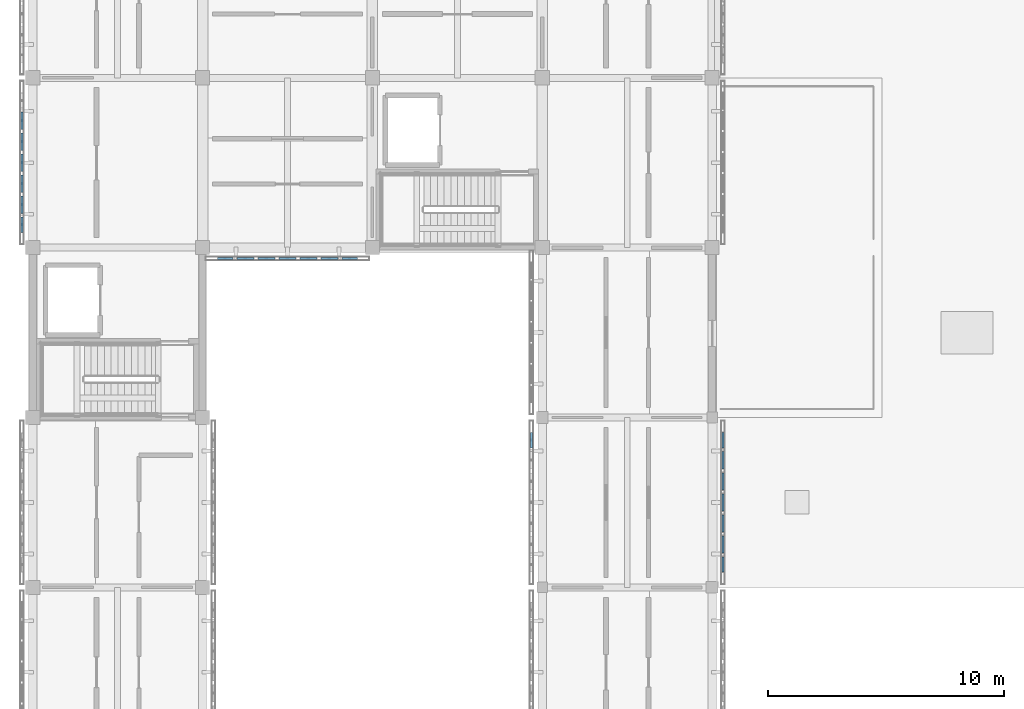
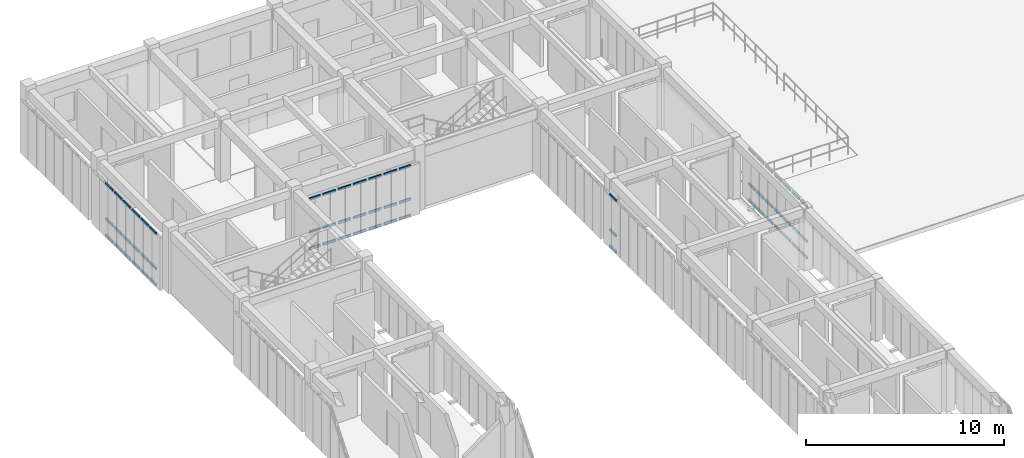
# One storey, part 23 of 67: 63 members, 4 elements without a shape of their own.
"""IFC4 building model written with IfcOpenShell, lengths in metres."""

from ifc_helpers import new_model, si_unit, direction, frame, origin, origin_2d, place, context, subcontext, project, spatial, hollow_rectangle, extrude, material, material_profile, profile_set, type_object, element, aggregate, save


model = new_model("IFC4")

# Units and contexts
model_context = context("Model", 3, precision=1e-05, world=origin(), true_north=direction((0.0, 1.0)))
body_context = subcontext(model_context, "Body", "Model", "MODEL_VIEW")
ifc_project = project(units=[si_unit("LENGTHUNIT", "METRE"), si_unit("AREAUNIT", "SQUARE_METRE"), si_unit("VOLUMEUNIT", "CUBIC_METRE"), si_unit("PLANEANGLEUNIT", "RADIAN"), si_unit("MASSUNIT", "GRAM", prefix="KILO")], contexts=[model_context])

# Site, building, storey
site_placement = place(None, origin())
site = spatial("IfcSite", under=ifc_project, at=site_placement, CompositionType="ELEMENT")
building_placement = place(site_placement, origin())
building = spatial("IfcBuilding", under=site, at=building_placement, Name="Aldebral Square Health Centre", CompositionType="ELEMENT")
storey_placement = place(building_placement, frame((0.0, 0.0, 13.5)))
storey = spatial("IfcBuildingStorey", under=building, at=storey_placement, Name="L03", CompositionType="ELEMENT", Elevation=13.5)

# Curtain wall, members
ifc_material_1 = material(Name="Aluminium and low-E solar glass", Category="aluminium")
curtain_wall_type = type_object("IfcCurtainWallType", Name="CW-FIN-SYS", PredefinedType="USERDEFINED", material=ifc_material_1)
curtain_wall_1_placement = place(storey_placement, origin())
curtain_wall_1 = element("IfcCurtainWall", 1, at=curtain_wall_1_placement, inside=storey, type_object=curtain_wall_type, Name="L03 V4 finned curtain wall L03-V4-00-14-W", ObjectType="SOLAR_CURTAIN_WALL", PredefinedType="USERDEFINED")
ifc_material_2 = material(Name="Anodised aluminium transom", Category="aluminium")
ifc_material_profile = material_profile(ifc_material_2, hollow_rectangle(XDim=0.074951171875, YDim=0.14990234375, WallThickness=0.00390625, at=origin_2d()), Name="CWT 75x150x4")
ifc_profile_set = profile_set([ifc_material_profile], Name="Anodised aluminium transom")
member_type = type_object("IfcMemberType", Name="CWT-STD", PredefinedType="USERDEFINED", material=ifc_profile_set)
member_1_placement = place(storey_placement, frame((-0.4599609375, 106.548583984375, 0.03759765625), z_axis=(0.0, -1.0, 0.0), x_axis=(1.0, 0.0, 0.0)))
member_1 = element("IfcMember", 2, at=member_1_placement, type_object=member_type, Name="CW1 transom 2.1", ObjectType="TRANSOM", PredefinedType="USERDEFINED", context=body_context, shape_type="SweptSolid", body=[
    extrude(hollow_rectangle(XDim=0.074951171875, YDim=0.14990234375, WallThickness=0.00390625, at=origin_2d()), origin(), (0.0, 0.0, 1.0), 0.7314453125),
])
member_2_placement = place(storey_placement, frame((-0.4599609375, 106.548583984375, 1.050048828125), z_axis=(0.0, -1.0, 0.0), x_axis=(1.0, 0.0, 0.0)))
member_2 = element("IfcMember", 3, at=member_2_placement, type_object=member_type, Name="CW1 transom 2.2", ObjectType="TRANSOM", PredefinedType="USERDEFINED", context=body_context, shape_type="SweptSolid", body=[
    extrude(hollow_rectangle(XDim=0.074951171875, YDim=0.14990234375, WallThickness=0.00390625, at=origin_2d()), origin(), (0.0, 0.0, 1.0), 0.7314453125),
])
member_3_placement = place(storey_placement, frame((-0.4599609375, 106.548583984375, 3.202392578125), z_axis=(0.0, -1.0, 0.0), x_axis=(1.0, 0.0, 0.0)))
member_3 = element("IfcMember", 4, at=member_3_placement, type_object=member_type, Name="CW1 transom 2.3", ObjectType="TRANSOM", PredefinedType="USERDEFINED", context=body_context, shape_type="SweptSolid", body=[
    extrude(hollow_rectangle(XDim=0.074951171875, YDim=0.14990234375, WallThickness=0.00390625, at=origin_2d()), origin(), (0.0, 0.0, 1.0), 0.7314453125),
])
member_4_placement = place(storey_placement, frame((-0.4599609375, 105.6572265625, 0.03759765625), z_axis=(0.0, -1.0, 0.0), x_axis=(1.0, 0.0, 0.0)))
member_4 = element("IfcMember", 5, at=member_4_placement, type_object=member_type, Name="CW1 transom 3.1", ObjectType="TRANSOM", PredefinedType="USERDEFINED", context=body_context, shape_type="SweptSolid", body=[
    extrude(hollow_rectangle(XDim=0.074951171875, YDim=0.14990234375, WallThickness=0.00390625, at=origin_2d()), origin(), (0.0, 0.0, 1.0), 0.7314453125),
])
member_5_placement = place(storey_placement, frame((-0.4599609375, 105.6572265625, 1.050048828125), z_axis=(0.0, -1.0, 0.0), x_axis=(1.0, 0.0, 0.0)))
member_5 = element("IfcMember", 6, at=member_5_placement, type_object=member_type, Name="CW1 transom 3.2", ObjectType="TRANSOM", PredefinedType="USERDEFINED", context=body_context, shape_type="SweptSolid", body=[
    extrude(hollow_rectangle(XDim=0.074951171875, YDim=0.14990234375, WallThickness=0.00390625, at=origin_2d()), origin(), (0.0, 0.0, 1.0), 0.7314453125),
])
member_6_placement = place(storey_placement, frame((-0.4599609375, 105.6572265625, 3.202392578125), z_axis=(0.0, -1.0, 0.0), x_axis=(1.0, 0.0, 0.0)))
member_6 = element("IfcMember", 7, at=member_6_placement, type_object=member_type, Name="CW1 transom 3.3", ObjectType="TRANSOM", PredefinedType="USERDEFINED", context=body_context, shape_type="SweptSolid", body=[
    extrude(hollow_rectangle(XDim=0.074951171875, YDim=0.14990234375, WallThickness=0.00390625, at=origin_2d()), origin(), (0.0, 0.0, 1.0), 0.7314453125),
])
member_7_placement = place(storey_placement, frame((-0.4599609375, 104.765625, 0.03759765625), z_axis=(0.0, -1.0, 0.0), x_axis=(1.0, 0.0, 0.0)))
member_7 = element("IfcMember", 8, at=member_7_placement, type_object=member_type, Name="CW1 transom 4.1", ObjectType="TRANSOM", PredefinedType="USERDEFINED", context=body_context, shape_type="SweptSolid", body=[
    extrude(hollow_rectangle(XDim=0.074951171875, YDim=0.14990234375, WallThickness=0.00390625, at=origin_2d()), origin(), (0.0, 0.0, 1.0), 0.7314453125),
])
member_8_placement = place(storey_placement, frame((-0.4599609375, 104.765625, 1.050048828125), z_axis=(0.0, -1.0, 0.0), x_axis=(1.0, 0.0, 0.0)))
member_8 = element("IfcMember", 9, at=member_8_placement, type_object=member_type, Name="CW1 transom 4.2", ObjectType="TRANSOM", PredefinedType="USERDEFINED", context=body_context, shape_type="SweptSolid", body=[
    extrude(hollow_rectangle(XDim=0.074951171875, YDim=0.14990234375, WallThickness=0.00390625, at=origin_2d()), origin(), (0.0, 0.0, 1.0), 0.7314453125),
])
member_9_placement = place(storey_placement, frame((-0.4599609375, 104.765625, 3.202392578125), z_axis=(0.0, -1.0, 0.0), x_axis=(1.0, 0.0, 0.0)))
member_9 = element("IfcMember", 10, at=member_9_placement, type_object=member_type, Name="CW1 transom 4.3", ObjectType="TRANSOM", PredefinedType="USERDEFINED", context=body_context, shape_type="SweptSolid", body=[
    extrude(hollow_rectangle(XDim=0.074951171875, YDim=0.14990234375, WallThickness=0.00390625, at=origin_2d()), origin(), (0.0, 0.0, 1.0), 0.7314453125),
])
member_10_placement = place(storey_placement, frame((-0.4599609375, 103.874267578125, 0.03759765625), z_axis=(0.0, -1.0, 0.0), x_axis=(1.0, 0.0, 0.0)))
member_10 = element("IfcMember", 11, at=member_10_placement, type_object=member_type, Name="CW1 transom 5.1", ObjectType="TRANSOM", PredefinedType="USERDEFINED", context=body_context, shape_type="SweptSolid", body=[
    extrude(hollow_rectangle(XDim=0.074951171875, YDim=0.14990234375, WallThickness=0.00390625, at=origin_2d()), origin(), (0.0, 0.0, 1.0), 0.7314453125),
])
member_11_placement = place(storey_placement, frame((-0.4599609375, 103.874267578125, 1.050048828125), z_axis=(0.0, -1.0, 0.0), x_axis=(1.0, 0.0, 0.0)))
member_11 = element("IfcMember", 12, at=member_11_placement, type_object=member_type, Name="CW1 transom 5.2", ObjectType="TRANSOM", PredefinedType="USERDEFINED", context=body_context, shape_type="SweptSolid", body=[
    extrude(hollow_rectangle(XDim=0.074951171875, YDim=0.14990234375, WallThickness=0.00390625, at=origin_2d()), origin(), (0.0, 0.0, 1.0), 0.7314453125),
])
member_12_placement = place(storey_placement, frame((-0.4599609375, 103.874267578125, 3.202392578125), z_axis=(0.0, -1.0, 0.0), x_axis=(1.0, 0.0, 0.0)))
member_12 = element("IfcMember", 13, at=member_12_placement, type_object=member_type, Name="CW1 transom 5.3", ObjectType="TRANSOM", PredefinedType="USERDEFINED", context=body_context, shape_type="SweptSolid", body=[
    extrude(hollow_rectangle(XDim=0.074951171875, YDim=0.14990234375, WallThickness=0.00390625, at=origin_2d()), origin(), (0.0, 0.0, 1.0), 0.7314453125),
])
member_13_placement = place(storey_placement, frame((-0.4599609375, 102.98291015625, 0.03759765625), z_axis=(0.0, -1.0, 0.0), x_axis=(1.0, 0.0, 0.0)))
member_13 = element("IfcMember", 14, at=member_13_placement, type_object=member_type, Name="CW1 transom 6.1", ObjectType="TRANSOM", PredefinedType="USERDEFINED", context=body_context, shape_type="SweptSolid", body=[
    extrude(hollow_rectangle(XDim=0.074951171875, YDim=0.14990234375, WallThickness=0.00390625, at=origin_2d()), origin(), (0.0, 0.0, 1.0), 0.7314453125),
])
member_14_placement = place(storey_placement, frame((-0.4599609375, 102.98291015625, 1.050048828125), z_axis=(0.0, -1.0, 0.0), x_axis=(1.0, 0.0, 0.0)))
member_14 = element("IfcMember", 15, at=member_14_placement, type_object=member_type, Name="CW1 transom 6.2", ObjectType="TRANSOM", PredefinedType="USERDEFINED", context=body_context, shape_type="SweptSolid", body=[
    extrude(hollow_rectangle(XDim=0.074951171875, YDim=0.14990234375, WallThickness=0.00390625, at=origin_2d()), origin(), (0.0, 0.0, 1.0), 0.7314453125),
])
member_15_placement = place(storey_placement, frame((-0.4599609375, 102.98291015625, 3.202392578125), z_axis=(0.0, -1.0, 0.0), x_axis=(1.0, 0.0, 0.0)))
member_15 = element("IfcMember", 16, at=member_15_placement, type_object=member_type, Name="CW1 transom 6.3", ObjectType="TRANSOM", PredefinedType="USERDEFINED", context=body_context, shape_type="SweptSolid", body=[
    extrude(hollow_rectangle(XDim=0.074951171875, YDim=0.14990234375, WallThickness=0.00390625, at=origin_2d()), origin(), (0.0, 0.0, 1.0), 0.7314453125),
])
member_16_placement = place(storey_placement, frame((-0.4599609375, 102.09130859375, 0.03759765625), z_axis=(0.0, -1.0, 0.0), x_axis=(1.0, 0.0, 0.0)))
member_16 = element("IfcMember", 17, at=member_16_placement, type_object=member_type, Name="CW1 transom 7.1", ObjectType="TRANSOM", PredefinedType="USERDEFINED", context=body_context, shape_type="SweptSolid", body=[
    extrude(hollow_rectangle(XDim=0.074951171875, YDim=0.14990234375, WallThickness=0.00390625, at=origin_2d()), origin(), (0.0, 0.0, 1.0), 0.6513671875),
])
member_17_placement = place(storey_placement, frame((-0.4599609375, 102.09130859375, 1.050048828125), z_axis=(0.0, -1.0, 0.0), x_axis=(1.0, 0.0, 0.0)))
member_17 = element("IfcMember", 18, at=member_17_placement, type_object=member_type, Name="CW1 transom 7.2", ObjectType="TRANSOM", PredefinedType="USERDEFINED", context=body_context, shape_type="SweptSolid", body=[
    extrude(hollow_rectangle(XDim=0.074951171875, YDim=0.14990234375, WallThickness=0.00390625, at=origin_2d()), origin(), (0.0, 0.0, 1.0), 0.6513671875),
])
member_18_placement = place(storey_placement, frame((-0.4599609375, 102.09130859375, 3.202392578125), z_axis=(0.0, -1.0, 0.0), x_axis=(1.0, 0.0, 0.0)))
member_18 = element("IfcMember", 19, at=member_18_placement, type_object=member_type, Name="CW1 transom 7.3", ObjectType="TRANSOM", PredefinedType="USERDEFINED", context=body_context, shape_type="SweptSolid", body=[
    extrude(hollow_rectangle(XDim=0.074951171875, YDim=0.14990234375, WallThickness=0.00390625, at=origin_2d()), origin(), (0.0, 0.0, 1.0), 0.6513671875),
])
aggregate(curtain_wall_1, [member_1, member_2, member_3, member_4, member_5, member_6, member_7, member_8, member_9, member_10, member_11, member_12, member_13, member_14, member_15, member_16, member_17, member_18])

curtain_wall_2_placement = place(storey_placement, origin())
curtain_wall_2 = element("IfcCurtainWall", 20, at=curtain_wall_2_placement, inside=storey, type_object=curtain_wall_type, Name="L03 V4 finned curtain wall L03-V4-01-14-S", ObjectType="SOLAR_CURTAIN_WALL", PredefinedType="USERDEFINED")
member_19_placement = place(storey_placement, frame((7.840087890625, 100.340087890625, 0.03759765625), z_axis=(1.0, 0.0, 0.0), x_axis=(0.0, 1.0, 0.0)))
member_19 = element("IfcMember", 21, at=member_19_placement, type_object=member_type, Name="CW1 transom 1.1", ObjectType="TRANSOM", PredefinedType="USERDEFINED", context=body_context, shape_type="SweptSolid", body=[
    extrude(hollow_rectangle(XDim=0.074951171875, YDim=0.14990234375, WallThickness=0.00390625, at=origin_2d()), origin(), (0.0, 0.0, 1.0), 0.6513671875),
])
member_20_placement = place(storey_placement, frame((7.840087890625, 100.340087890625, 1.050048828125), z_axis=(1.0, 0.0, 0.0), x_axis=(0.0, 1.0, 0.0)))
member_20 = element("IfcMember", 22, at=member_20_placement, type_object=member_type, Name="CW1 transom 1.2", ObjectType="TRANSOM", PredefinedType="USERDEFINED", context=body_context, shape_type="SweptSolid", body=[
    extrude(hollow_rectangle(XDim=0.074951171875, YDim=0.14990234375, WallThickness=0.00390625, at=origin_2d()), origin(), (0.0, 0.0, 1.0), 0.6513671875),
])
member_21_placement = place(storey_placement, frame((7.840087890625, 100.340087890625, 3.1025390625), z_axis=(1.0, 0.0, 0.0), x_axis=(0.0, 1.0, 0.0)))
member_21 = element("IfcMember", 23, at=member_21_placement, type_object=member_type, Name="CW1 transom 1.3", ObjectType="TRANSOM", PredefinedType="USERDEFINED", context=body_context, shape_type="SweptSolid", body=[
    extrude(hollow_rectangle(XDim=0.074951171875, YDim=0.14990234375, WallThickness=0.00390625, at=origin_2d()), origin(), (0.0, 0.0, 1.0), 0.6513671875),
])
member_22_placement = place(storey_placement, frame((8.6513671875, 100.340087890625, 0.03759765625), z_axis=(1.0, 0.0, 0.0), x_axis=(0.0, 1.0, 0.0)))
member_22 = element("IfcMember", 24, at=member_22_placement, type_object=member_type, Name="CW1 transom 2.1", ObjectType="TRANSOM", PredefinedType="USERDEFINED", context=body_context, shape_type="SweptSolid", body=[
    extrude(hollow_rectangle(XDim=0.074951171875, YDim=0.14990234375, WallThickness=0.00390625, at=origin_2d()), origin(), (0.0, 0.0, 1.0), 0.7314453125),
])
member_23_placement = place(storey_placement, frame((8.6513671875, 100.340087890625, 1.050048828125), z_axis=(1.0, 0.0, 0.0), x_axis=(0.0, 1.0, 0.0)))
member_23 = element("IfcMember", 25, at=member_23_placement, type_object=member_type, Name="CW1 transom 2.2", ObjectType="TRANSOM", PredefinedType="USERDEFINED", context=body_context, shape_type="SweptSolid", body=[
    extrude(hollow_rectangle(XDim=0.074951171875, YDim=0.14990234375, WallThickness=0.00390625, at=origin_2d()), origin(), (0.0, 0.0, 1.0), 0.7314453125),
])
member_24_placement = place(storey_placement, frame((8.6513671875, 100.340087890625, 3.1025390625), z_axis=(1.0, 0.0, 0.0), x_axis=(0.0, 1.0, 0.0)))
member_24 = element("IfcMember", 26, at=member_24_placement, type_object=member_type, Name="CW1 transom 2.3", ObjectType="TRANSOM", PredefinedType="USERDEFINED", context=body_context, shape_type="SweptSolid", body=[
    extrude(hollow_rectangle(XDim=0.074951171875, YDim=0.14990234375, WallThickness=0.00390625, at=origin_2d()), origin(), (0.0, 0.0, 1.0), 0.7314453125),
])
member_25_placement = place(storey_placement, frame((9.54296875, 100.340087890625, 0.03759765625), z_axis=(1.0, 0.0, 0.0), x_axis=(0.0, 1.0, 0.0)))
member_25 = element("IfcMember", 27, at=member_25_placement, type_object=member_type, Name="CW1 transom 3.1", ObjectType="TRANSOM", PredefinedType="USERDEFINED", context=body_context, shape_type="SweptSolid", body=[
    extrude(hollow_rectangle(XDim=0.074951171875, YDim=0.14990234375, WallThickness=0.00390625, at=origin_2d()), origin(), (0.0, 0.0, 1.0), 0.731201171875),
])
member_26_placement = place(storey_placement, frame((9.54296875, 100.340087890625, 1.050048828125), z_axis=(1.0, 0.0, 0.0), x_axis=(0.0, 1.0, 0.0)))
member_26 = element("IfcMember", 28, at=member_26_placement, type_object=member_type, Name="CW1 transom 3.2", ObjectType="TRANSOM", PredefinedType="USERDEFINED", context=body_context, shape_type="SweptSolid", body=[
    extrude(hollow_rectangle(XDim=0.074951171875, YDim=0.14990234375, WallThickness=0.00390625, at=origin_2d()), origin(), (0.0, 0.0, 1.0), 0.731201171875),
])
member_27_placement = place(storey_placement, frame((9.54296875, 100.340087890625, 3.1025390625), z_axis=(1.0, 0.0, 0.0), x_axis=(0.0, 1.0, 0.0)))
member_27 = element("IfcMember", 29, at=member_27_placement, type_object=member_type, Name="CW1 transom 3.3", ObjectType="TRANSOM", PredefinedType="USERDEFINED", context=body_context, shape_type="SweptSolid", body=[
    extrude(hollow_rectangle(XDim=0.074951171875, YDim=0.14990234375, WallThickness=0.00390625, at=origin_2d()), origin(), (0.0, 0.0, 1.0), 0.731201171875),
])
member_28_placement = place(storey_placement, frame((10.434326171875, 100.340087890625, 0.03759765625), z_axis=(1.0, 0.0, 0.0), x_axis=(0.0, 1.0, 0.0)))
member_28 = element("IfcMember", 30, at=member_28_placement, type_object=member_type, Name="CW1 transom 4.1", ObjectType="TRANSOM", PredefinedType="USERDEFINED", context=body_context, shape_type="SweptSolid", body=[
    extrude(hollow_rectangle(XDim=0.074951171875, YDim=0.14990234375, WallThickness=0.00390625, at=origin_2d()), origin(), (0.0, 0.0, 1.0), 0.7314453125),
])
member_29_placement = place(storey_placement, frame((10.434326171875, 100.340087890625, 1.050048828125), z_axis=(1.0, 0.0, 0.0), x_axis=(0.0, 1.0, 0.0)))
member_29 = element("IfcMember", 31, at=member_29_placement, type_object=member_type, Name="CW1 transom 4.2", ObjectType="TRANSOM", PredefinedType="USERDEFINED", context=body_context, shape_type="SweptSolid", body=[
    extrude(hollow_rectangle(XDim=0.074951171875, YDim=0.14990234375, WallThickness=0.00390625, at=origin_2d()), origin(), (0.0, 0.0, 1.0), 0.7314453125),
])
member_30_placement = place(storey_placement, frame((10.434326171875, 100.340087890625, 3.1025390625), z_axis=(1.0, 0.0, 0.0), x_axis=(0.0, 1.0, 0.0)))
member_30 = element("IfcMember", 32, at=member_30_placement, type_object=member_type, Name="CW1 transom 4.3", ObjectType="TRANSOM", PredefinedType="USERDEFINED", context=body_context, shape_type="SweptSolid", body=[
    extrude(hollow_rectangle(XDim=0.074951171875, YDim=0.14990234375, WallThickness=0.00390625, at=origin_2d()), origin(), (0.0, 0.0, 1.0), 0.7314453125),
])
member_31_placement = place(storey_placement, frame((11.32568359375, 100.340087890625, 0.03759765625), z_axis=(1.0, 0.0, 0.0), x_axis=(0.0, 1.0, 0.0)))
member_31 = element("IfcMember", 33, at=member_31_placement, type_object=member_type, Name="CW1 transom 5.1", ObjectType="TRANSOM", PredefinedType="USERDEFINED", context=body_context, shape_type="SweptSolid", body=[
    extrude(hollow_rectangle(XDim=0.074951171875, YDim=0.14990234375, WallThickness=0.00390625, at=origin_2d()), origin(), (0.0, 0.0, 1.0), 0.7314453125),
])
member_32_placement = place(storey_placement, frame((11.32568359375, 100.340087890625, 1.050048828125), z_axis=(1.0, 0.0, 0.0), x_axis=(0.0, 1.0, 0.0)))
member_32 = element("IfcMember", 34, at=member_32_placement, type_object=member_type, Name="CW1 transom 5.2", ObjectType="TRANSOM", PredefinedType="USERDEFINED", context=body_context, shape_type="SweptSolid", body=[
    extrude(hollow_rectangle(XDim=0.074951171875, YDim=0.14990234375, WallThickness=0.00390625, at=origin_2d()), origin(), (0.0, 0.0, 1.0), 0.7314453125),
])
member_33_placement = place(storey_placement, frame((11.32568359375, 100.340087890625, 3.1025390625), z_axis=(1.0, 0.0, 0.0), x_axis=(0.0, 1.0, 0.0)))
member_33 = element("IfcMember", 35, at=member_33_placement, type_object=member_type, Name="CW1 transom 5.3", ObjectType="TRANSOM", PredefinedType="USERDEFINED", context=body_context, shape_type="SweptSolid", body=[
    extrude(hollow_rectangle(XDim=0.074951171875, YDim=0.14990234375, WallThickness=0.00390625, at=origin_2d()), origin(), (0.0, 0.0, 1.0), 0.7314453125),
])
member_34_placement = place(storey_placement, frame((12.217041015625, 100.340087890625, 0.03759765625), z_axis=(1.0, 0.0, 0.0), x_axis=(0.0, 1.0, 0.0)))
member_34 = element("IfcMember", 36, at=member_34_placement, type_object=member_type, Name="CW1 transom 6.1", ObjectType="TRANSOM", PredefinedType="USERDEFINED", context=body_context, shape_type="SweptSolid", body=[
    extrude(hollow_rectangle(XDim=0.074951171875, YDim=0.14990234375, WallThickness=0.00390625, at=origin_2d()), origin(), (0.0, 0.0, 1.0), 0.7314453125),
])
member_35_placement = place(storey_placement, frame((12.217041015625, 100.340087890625, 1.050048828125), z_axis=(1.0, 0.0, 0.0), x_axis=(0.0, 1.0, 0.0)))
member_35 = element("IfcMember", 37, at=member_35_placement, type_object=member_type, Name="CW1 transom 6.2", ObjectType="TRANSOM", PredefinedType="USERDEFINED", context=body_context, shape_type="SweptSolid", body=[
    extrude(hollow_rectangle(XDim=0.074951171875, YDim=0.14990234375, WallThickness=0.00390625, at=origin_2d()), origin(), (0.0, 0.0, 1.0), 0.7314453125),
])
member_36_placement = place(storey_placement, frame((12.217041015625, 100.340087890625, 3.1025390625), z_axis=(1.0, 0.0, 0.0), x_axis=(0.0, 1.0, 0.0)))
member_36 = element("IfcMember", 38, at=member_36_placement, type_object=member_type, Name="CW1 transom 6.3", ObjectType="TRANSOM", PredefinedType="USERDEFINED", context=body_context, shape_type="SweptSolid", body=[
    extrude(hollow_rectangle(XDim=0.074951171875, YDim=0.14990234375, WallThickness=0.00390625, at=origin_2d()), origin(), (0.0, 0.0, 1.0), 0.7314453125),
])
member_37_placement = place(storey_placement, frame((13.108642578125, 100.340087890625, 0.03759765625), z_axis=(1.0, 0.0, 0.0), x_axis=(0.0, 1.0, 0.0)))
member_37 = element("IfcMember", 39, at=member_37_placement, type_object=member_type, Name="CW1 transom 7.1", ObjectType="TRANSOM", PredefinedType="USERDEFINED", context=body_context, shape_type="SweptSolid", body=[
    extrude(hollow_rectangle(XDim=0.074951171875, YDim=0.14990234375, WallThickness=0.00390625, at=origin_2d()), origin(), (0.0, 0.0, 1.0), 0.6513671875),
])
member_38_placement = place(storey_placement, frame((13.108642578125, 100.340087890625, 1.050048828125), z_axis=(1.0, 0.0, 0.0), x_axis=(0.0, 1.0, 0.0)))
member_38 = element("IfcMember", 40, at=member_38_placement, type_object=member_type, Name="CW1 transom 7.2", ObjectType="TRANSOM", PredefinedType="USERDEFINED", context=body_context, shape_type="SweptSolid", body=[
    extrude(hollow_rectangle(XDim=0.074951171875, YDim=0.14990234375, WallThickness=0.00390625, at=origin_2d()), origin(), (0.0, 0.0, 1.0), 0.6513671875),
])
member_39_placement = place(storey_placement, frame((13.108642578125, 100.340087890625, 3.1025390625), z_axis=(1.0, 0.0, 0.0), x_axis=(0.0, 1.0, 0.0)))
member_39 = element("IfcMember", 41, at=member_39_placement, type_object=member_type, Name="CW1 transom 7.3", ObjectType="TRANSOM", PredefinedType="USERDEFINED", context=body_context, shape_type="SweptSolid", body=[
    extrude(hollow_rectangle(XDim=0.074951171875, YDim=0.14990234375, WallThickness=0.00390625, at=origin_2d()), origin(), (0.0, 0.0, 1.0), 0.6513671875),
])
aggregate(curtain_wall_2, [member_19, member_20, member_21, member_22, member_23, member_24, member_25, member_26, member_27, member_28, member_29, member_30, member_31, member_32, member_33, member_34, member_35, member_36, member_37, member_38, member_39])

curtain_wall_3_placement = place(storey_placement, origin())
curtain_wall_3 = element("IfcCurtainWall", 42, at=curtain_wall_3_placement, inside=storey, type_object=curtain_wall_type, Name="L03 V4 finned curtain wall L03-V4-03-12-W", ObjectType="SOLAR_CURTAIN_WALL", PredefinedType="USERDEFINED")
member_40_placement = place(storey_placement, frame((21.139892578125, 92.9599609375, 0.03759765625), z_axis=(0.0, -1.0, 0.0), x_axis=(1.0, 0.0, 0.0)))
member_40 = element("IfcMember", 43, at=member_40_placement, type_object=member_type, Name="CW1 transom 1.1", ObjectType="TRANSOM", PredefinedType="USERDEFINED", context=body_context, shape_type="SweptSolid", body=[
    extrude(hollow_rectangle(XDim=0.074951171875, YDim=0.14990234375, WallThickness=0.00390625, at=origin_2d()), origin(), (0.0, 0.0, 1.0), 0.6513671875),
])
member_41_placement = place(storey_placement, frame((21.139892578125, 92.9599609375, 1.050048828125), z_axis=(0.0, -1.0, 0.0), x_axis=(1.0, 0.0, 0.0)))
member_41 = element("IfcMember", 44, at=member_41_placement, type_object=member_type, Name="CW1 transom 1.2", ObjectType="TRANSOM", PredefinedType="USERDEFINED", context=body_context, shape_type="SweptSolid", body=[
    extrude(hollow_rectangle(XDim=0.074951171875, YDim=0.14990234375, WallThickness=0.00390625, at=origin_2d()), origin(), (0.0, 0.0, 1.0), 0.6513671875),
])
member_42_placement = place(storey_placement, frame((21.139892578125, 92.9599609375, 3.202392578125), z_axis=(0.0, -1.0, 0.0), x_axis=(1.0, 0.0, 0.0)))
member_42 = element("IfcMember", 45, at=member_42_placement, type_object=member_type, Name="CW1 transom 1.3", ObjectType="TRANSOM", PredefinedType="USERDEFINED", context=body_context, shape_type="SweptSolid", body=[
    extrude(hollow_rectangle(XDim=0.074951171875, YDim=0.14990234375, WallThickness=0.00390625, at=origin_2d()), origin(), (0.0, 0.0, 1.0), 0.6513671875),
])
aggregate(curtain_wall_3, [member_40, member_41, member_42])

curtain_wall_4_placement = place(storey_placement, origin())
curtain_wall_4 = element("IfcCurtainWall", 46, at=curtain_wall_4_placement, inside=storey, type_object=curtain_wall_type, Name="L03 V4 finned curtain wall L03-V4-03-12-E", ObjectType="SOLAR_CURTAIN_WALL", PredefinedType="USERDEFINED")
member_43_placement = place(storey_placement, frame((29.260009765625, 87.0400390625, 0.03759765625), z_axis=(0.0, 1.0, 0.0), x_axis=(-1.0, 0.0, 0.0)))
member_43 = element("IfcMember", 47, at=member_43_placement, type_object=member_type, Name="CW1 transom 1.1", ObjectType="TRANSOM", PredefinedType="USERDEFINED", context=body_context, shape_type="SweptSolid", body=[
    extrude(hollow_rectangle(XDim=0.074951171875, YDim=0.14990234375, WallThickness=0.00390625, at=origin_2d()), origin(), (0.0, 0.0, 1.0), 0.6513671875),
])
member_44_placement = place(storey_placement, frame((29.260009765625, 87.0400390625, 1.050048828125), z_axis=(0.0, 1.0, 0.0), x_axis=(-1.0, 0.0, 0.0)))
member_44 = element("IfcMember", 48, at=member_44_placement, type_object=member_type, Name="CW1 transom 1.2", ObjectType="TRANSOM", PredefinedType="USERDEFINED", context=body_context, shape_type="SweptSolid", body=[
    extrude(hollow_rectangle(XDim=0.074951171875, YDim=0.14990234375, WallThickness=0.00390625, at=origin_2d()), origin(), (0.0, 0.0, 1.0), 0.6513671875),
])
member_45_placement = place(storey_placement, frame((29.260009765625, 87.0400390625, 3.202392578125), z_axis=(0.0, 1.0, 0.0), x_axis=(-1.0, 0.0, 0.0)))
member_45 = element("IfcMember", 49, at=member_45_placement, type_object=member_type, Name="CW1 transom 1.3", ObjectType="TRANSOM", PredefinedType="USERDEFINED", context=body_context, shape_type="SweptSolid", body=[
    extrude(hollow_rectangle(XDim=0.074951171875, YDim=0.14990234375, WallThickness=0.00390625, at=origin_2d()), origin(), (0.0, 0.0, 1.0), 0.6513671875),
])
member_46_placement = place(storey_placement, frame((29.260009765625, 87.851318359375, 0.03759765625), z_axis=(0.0, 1.0, 0.0), x_axis=(-1.0, 0.0, 0.0)))
member_46 = element("IfcMember", 50, at=member_46_placement, type_object=member_type, Name="CW1 transom 2.1", ObjectType="TRANSOM", PredefinedType="USERDEFINED", context=body_context, shape_type="SweptSolid", body=[
    extrude(hollow_rectangle(XDim=0.074951171875, YDim=0.14990234375, WallThickness=0.00390625, at=origin_2d()), origin(), (0.0, 0.0, 1.0), 0.7314453125),
])
member_47_placement = place(storey_placement, frame((29.260009765625, 87.851318359375, 1.050048828125), z_axis=(0.0, 1.0, 0.0), x_axis=(-1.0, 0.0, 0.0)))
member_47 = element("IfcMember", 51, at=member_47_placement, type_object=member_type, Name="CW1 transom 2.2", ObjectType="TRANSOM", PredefinedType="USERDEFINED", context=body_context, shape_type="SweptSolid", body=[
    extrude(hollow_rectangle(XDim=0.074951171875, YDim=0.14990234375, WallThickness=0.00390625, at=origin_2d()), origin(), (0.0, 0.0, 1.0), 0.7314453125),
])
member_48_placement = place(storey_placement, frame((29.260009765625, 87.851318359375, 3.202392578125), z_axis=(0.0, 1.0, 0.0), x_axis=(-1.0, 0.0, 0.0)))
member_48 = element("IfcMember", 52, at=member_48_placement, type_object=member_type, Name="CW1 transom 2.3", ObjectType="TRANSOM", PredefinedType="USERDEFINED", context=body_context, shape_type="SweptSolid", body=[
    extrude(hollow_rectangle(XDim=0.074951171875, YDim=0.14990234375, WallThickness=0.00390625, at=origin_2d()), origin(), (0.0, 0.0, 1.0), 0.7314453125),
])
member_49_placement = place(storey_placement, frame((29.260009765625, 88.742919921875, 0.03759765625), z_axis=(0.0, 1.0, 0.0), x_axis=(-1.0, 0.0, 0.0)))
member_49 = element("IfcMember", 53, at=member_49_placement, type_object=member_type, Name="CW1 transom 3.1", ObjectType="TRANSOM", PredefinedType="USERDEFINED", context=body_context, shape_type="SweptSolid", body=[
    extrude(hollow_rectangle(XDim=0.074951171875, YDim=0.14990234375, WallThickness=0.00390625, at=origin_2d()), origin(), (0.0, 0.0, 1.0), 0.7314453125),
])
member_50_placement = place(storey_placement, frame((29.260009765625, 88.742919921875, 1.050048828125), z_axis=(0.0, 1.0, 0.0), x_axis=(-1.0, 0.0, 0.0)))
member_50 = element("IfcMember", 54, at=member_50_placement, type_object=member_type, Name="CW1 transom 3.2", ObjectType="TRANSOM", PredefinedType="USERDEFINED", context=body_context, shape_type="SweptSolid", body=[
    extrude(hollow_rectangle(XDim=0.074951171875, YDim=0.14990234375, WallThickness=0.00390625, at=origin_2d()), origin(), (0.0, 0.0, 1.0), 0.7314453125),
])
member_51_placement = place(storey_placement, frame((29.260009765625, 88.742919921875, 3.202392578125), z_axis=(0.0, 1.0, 0.0), x_axis=(-1.0, 0.0, 0.0)))
member_51 = element("IfcMember", 55, at=member_51_placement, type_object=member_type, Name="CW1 transom 3.3", ObjectType="TRANSOM", PredefinedType="USERDEFINED", context=body_context, shape_type="SweptSolid", body=[
    extrude(hollow_rectangle(XDim=0.074951171875, YDim=0.14990234375, WallThickness=0.00390625, at=origin_2d()), origin(), (0.0, 0.0, 1.0), 0.7314453125),
])
member_52_placement = place(storey_placement, frame((29.260009765625, 89.63427734375, 0.03759765625), z_axis=(0.0, 1.0, 0.0), x_axis=(-1.0, 0.0, 0.0)))
member_52 = element("IfcMember", 56, at=member_52_placement, type_object=member_type, Name="CW1 transom 4.1", ObjectType="TRANSOM", PredefinedType="USERDEFINED", context=body_context, shape_type="SweptSolid", body=[
    extrude(hollow_rectangle(XDim=0.074951171875, YDim=0.14990234375, WallThickness=0.00390625, at=origin_2d()), origin(), (0.0, 0.0, 1.0), 0.7314453125),
])
member_53_placement = place(storey_placement, frame((29.260009765625, 89.63427734375, 1.050048828125), z_axis=(0.0, 1.0, 0.0), x_axis=(-1.0, 0.0, 0.0)))
member_53 = element("IfcMember", 57, at=member_53_placement, type_object=member_type, Name="CW1 transom 4.2", ObjectType="TRANSOM", PredefinedType="USERDEFINED", context=body_context, shape_type="SweptSolid", body=[
    extrude(hollow_rectangle(XDim=0.074951171875, YDim=0.14990234375, WallThickness=0.00390625, at=origin_2d()), origin(), (0.0, 0.0, 1.0), 0.7314453125),
])
member_54_placement = place(storey_placement, frame((29.260009765625, 89.63427734375, 3.202392578125), z_axis=(0.0, 1.0, 0.0), x_axis=(-1.0, 0.0, 0.0)))
member_54 = element("IfcMember", 58, at=member_54_placement, type_object=member_type, Name="CW1 transom 4.3", ObjectType="TRANSOM", PredefinedType="USERDEFINED", context=body_context, shape_type="SweptSolid", body=[
    extrude(hollow_rectangle(XDim=0.074951171875, YDim=0.14990234375, WallThickness=0.00390625, at=origin_2d()), origin(), (0.0, 0.0, 1.0), 0.7314453125),
])
member_55_placement = place(storey_placement, frame((29.260009765625, 90.525634765625, 0.03759765625), z_axis=(0.0, 1.0, 0.0), x_axis=(-1.0, 0.0, 0.0)))
member_55 = element("IfcMember", 59, at=member_55_placement, type_object=member_type, Name="CW1 transom 5.1", ObjectType="TRANSOM", PredefinedType="USERDEFINED", context=body_context, shape_type="SweptSolid", body=[
    extrude(hollow_rectangle(XDim=0.074951171875, YDim=0.14990234375, WallThickness=0.00390625, at=origin_2d()), origin(), (0.0, 0.0, 1.0), 0.7314453125),
])
member_56_placement = place(storey_placement, frame((29.260009765625, 90.525634765625, 1.050048828125), z_axis=(0.0, 1.0, 0.0), x_axis=(-1.0, 0.0, 0.0)))
member_56 = element("IfcMember", 60, at=member_56_placement, type_object=member_type, Name="CW1 transom 5.2", ObjectType="TRANSOM", PredefinedType="USERDEFINED", context=body_context, shape_type="SweptSolid", body=[
    extrude(hollow_rectangle(XDim=0.074951171875, YDim=0.14990234375, WallThickness=0.00390625, at=origin_2d()), origin(), (0.0, 0.0, 1.0), 0.7314453125),
])
member_57_placement = place(storey_placement, frame((29.260009765625, 90.525634765625, 3.202392578125), z_axis=(0.0, 1.0, 0.0), x_axis=(-1.0, 0.0, 0.0)))
member_57 = element("IfcMember", 61, at=member_57_placement, type_object=member_type, Name="CW1 transom 5.3", ObjectType="TRANSOM", PredefinedType="USERDEFINED", context=body_context, shape_type="SweptSolid", body=[
    extrude(hollow_rectangle(XDim=0.074951171875, YDim=0.14990234375, WallThickness=0.00390625, at=origin_2d()), origin(), (0.0, 0.0, 1.0), 0.7314453125),
])
member_58_placement = place(storey_placement, frame((29.260009765625, 91.417236328125, 0.03759765625), z_axis=(0.0, 1.0, 0.0), x_axis=(-1.0, 0.0, 0.0)))
member_58 = element("IfcMember", 62, at=member_58_placement, type_object=member_type, Name="CW1 transom 6.1", ObjectType="TRANSOM", PredefinedType="USERDEFINED", context=body_context, shape_type="SweptSolid", body=[
    extrude(hollow_rectangle(XDim=0.074951171875, YDim=0.14990234375, WallThickness=0.00390625, at=origin_2d()), origin(), (0.0, 0.0, 1.0), 0.7314453125),
])
member_59_placement = place(storey_placement, frame((29.260009765625, 91.417236328125, 1.050048828125), z_axis=(0.0, 1.0, 0.0), x_axis=(-1.0, 0.0, 0.0)))
member_59 = element("IfcMember", 63, at=member_59_placement, type_object=member_type, Name="CW1 transom 6.2", ObjectType="TRANSOM", PredefinedType="USERDEFINED", context=body_context, shape_type="SweptSolid", body=[
    extrude(hollow_rectangle(XDim=0.074951171875, YDim=0.14990234375, WallThickness=0.00390625, at=origin_2d()), origin(), (0.0, 0.0, 1.0), 0.7314453125),
])
member_60_placement = place(storey_placement, frame((29.260009765625, 91.417236328125, 3.202392578125), z_axis=(0.0, 1.0, 0.0), x_axis=(-1.0, 0.0, 0.0)))
member_60 = element("IfcMember", 64, at=member_60_placement, type_object=member_type, Name="CW1 transom 6.3", ObjectType="TRANSOM", PredefinedType="USERDEFINED", context=body_context, shape_type="SweptSolid", body=[
    extrude(hollow_rectangle(XDim=0.074951171875, YDim=0.14990234375, WallThickness=0.00390625, at=origin_2d()), origin(), (0.0, 0.0, 1.0), 0.7314453125),
])
member_61_placement = place(storey_placement, frame((29.260009765625, 92.30859375, 0.03759765625), z_axis=(0.0, 1.0, 0.0), x_axis=(-1.0, 0.0, 0.0)))
member_61 = element("IfcMember", 65, at=member_61_placement, type_object=member_type, Name="CW1 transom 7.1", ObjectType="TRANSOM", PredefinedType="USERDEFINED", context=body_context, shape_type="SweptSolid", body=[
    extrude(hollow_rectangle(XDim=0.074951171875, YDim=0.14990234375, WallThickness=0.00390625, at=origin_2d()), origin(), (0.0, 0.0, 1.0), 0.6513671875),
])
member_62_placement = place(storey_placement, frame((29.260009765625, 92.30859375, 1.050048828125), z_axis=(0.0, 1.0, 0.0), x_axis=(-1.0, 0.0, 0.0)))
member_62 = element("IfcMember", 66, at=member_62_placement, type_object=member_type, Name="CW1 transom 7.2", ObjectType="TRANSOM", PredefinedType="USERDEFINED", context=body_context, shape_type="SweptSolid", body=[
    extrude(hollow_rectangle(XDim=0.074951171875, YDim=0.14990234375, WallThickness=0.00390625, at=origin_2d()), origin(), (0.0, 0.0, 1.0), 0.6513671875),
])
member_63_placement = place(storey_placement, frame((29.260009765625, 92.30859375, 3.202392578125), z_axis=(0.0, 1.0, 0.0), x_axis=(-1.0, 0.0, 0.0)))
member_63 = element("IfcMember", 67, at=member_63_placement, type_object=member_type, Name="CW1 transom 7.3", ObjectType="TRANSOM", PredefinedType="USERDEFINED", context=body_context, shape_type="SweptSolid", body=[
    extrude(hollow_rectangle(XDim=0.074951171875, YDim=0.14990234375, WallThickness=0.00390625, at=origin_2d()), origin(), (0.0, 0.0, 1.0), 0.6513671875),
])
aggregate(curtain_wall_4, [member_43, member_44, member_45, member_46, member_47, member_48, member_49, member_50, member_51, member_52, member_53, member_54, member_55, member_56, member_57, member_58, member_59, member_60, member_61, member_62, member_63])

save(model, "model.ifc")
